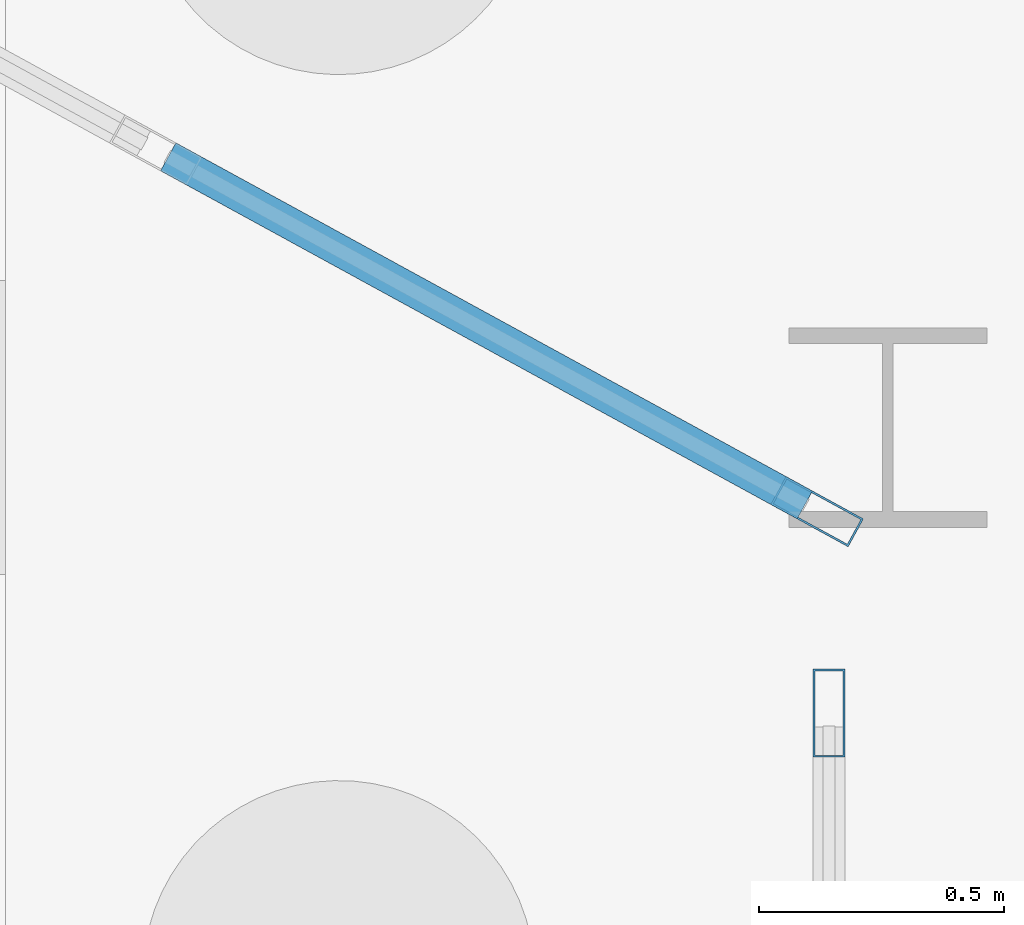
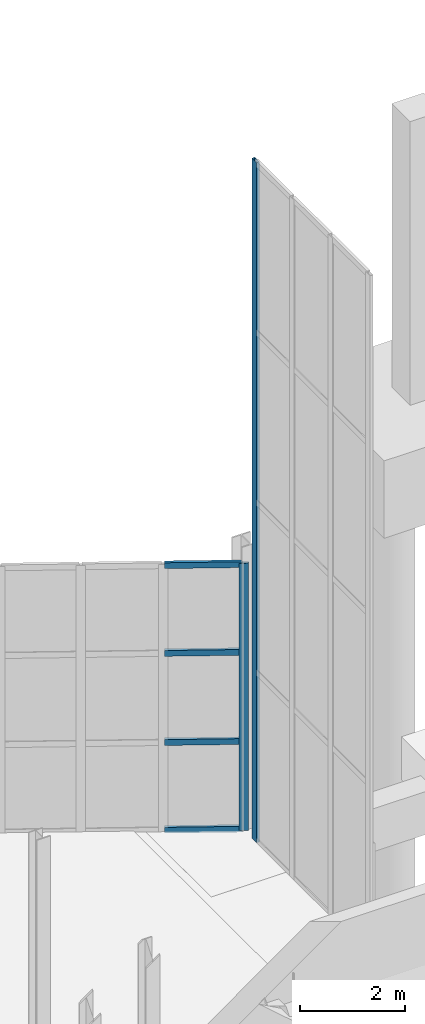
# One storey, part 63 of 115: 6 members, 2 elements without a shape of their own.
"""IFC4 building model written with IfcOpenShell, lengths in metres."""

import ifcopenshell
import ifcopenshell.guid

model = None  # the IFC model being written
_history = None  # IfcOwnerHistory: only IFC2X3 demands one
_inside = {}  # id of a spatial element -> (the spatial element, [elements in it])
_under = {}  # id of a project, library or spatial element -> (it, [spatial elements below it])
_declared = {}  # id of a project -> (the project, [libraries it declares])
_typed = {}  # id of a type object -> (the type object, [elements of that type])
_made_of = {}  # id of a material, layer set ... -> (it, [elements and type objects made of it])


def new_model(schema):
    """Start an empty IFC model of exactly this schema.

    Asked for "IFC4X3", IfcOpenShell would pick the latest addendum, in which some entities
    have other attributes; the version numbers below select the first issue.
    IFC2X3 requires an IfcOwnerHistory on every rooted entity: one is made here for all.
    """
    global model, _history
    if schema == "IFC4X3":
        model = ifcopenshell.file(schema_version=(4, 3, 0, 0))
    else:
        model = ifcopenshell.file(schema=schema)
    _inside.clear()
    _under.clear()
    _declared.clear()
    _typed.clear()
    _made_of.clear()
    _history = None
    if model.schema == "IFC2X3":
        org = make("IfcOrganization", Name="unknown")
        user = make(
            "IfcPersonAndOrganization",
            ThePerson=make("IfcPerson", FamilyName="unknown"),
            TheOrganization=org,
        )
        app = make(
            "IfcApplication",
            ApplicationDeveloper=org,
            Version="unknown",
            ApplicationFullName="unknown",
            ApplicationIdentifier="unknown",
        )
        _history = make(
            "IfcOwnerHistory",
            OwningUser=user,
            OwningApplication=app,
            ChangeAction="ADDED",
            CreationDate=0,
        )
    return model


def make(cls, **values):
    """One entity of the class cls with the attributes given. An attribute that is None is left unset."""
    return model.create_entity(
        cls, **{name: value for name, value in values.items() if value is not None}
    )


def rooted(cls, **values):
    """An entity with a GlobalId (a new one), such as an element, a storey or a relation."""
    return make(cls, GlobalId=ifcopenshell.guid.new(), OwnerHistory=_history, **values)


def si_unit(unit_type, name, prefix=None):
    """IfcSIUnit, for example si_unit("LENGTHUNIT", "METRE", prefix="MILLI")."""
    return make("IfcSIUnit", UnitType=unit_type, Prefix=prefix, Name=name)


def assignment(units):
    """IfcUnitAssignment: the units of a project."""
    return None if units is None else make("IfcUnitAssignment", Units=units)


def point(xyz):
    """IfcCartesianPoint."""
    return None if xyz is None else make("IfcCartesianPoint", Coordinates=xyz)


def direction(xyz):
    """IfcDirection."""
    return None if xyz is None else make("IfcDirection", DirectionRatios=xyz)


def frame(location, z_axis=None, x_axis=None):
    """IfcAxis2Placement3D, a coordinate frame: its origin and axes. An axis left out is left unset."""
    return make(
        "IfcAxis2Placement3D",
        Location=point(location),
        Axis=direction(z_axis),
        RefDirection=direction(x_axis),
    )


def frame_2d(location, x_axis=None):
    """IfcAxis2Placement2D, a coordinate frame in the plane: its origin and x axis."""
    return make(
        "IfcAxis2Placement2D", Location=point(location), RefDirection=direction(x_axis)
    )


def origin():
    """The frame at (0, 0, 0) with its axes left unset."""
    return frame((0.0, 0.0, 0.0))


def origin_2d():
    """The frame at (0, 0) in the plane with its x axis left unset."""
    return frame_2d((0.0, 0.0))


def place(relative_to, where):
    """IfcLocalPlacement: puts the frame where relative to a parent placement (None: the world)."""
    return make(
        "IfcLocalPlacement", PlacementRelTo=relative_to, RelativePlacement=where
    )


def context(
    kind, dimensions, precision=None, world=None, true_north=None, identifier=None
):
    """IfcGeometricRepresentationContext, for example the 3D "Model" context."""
    return make(
        "IfcGeometricRepresentationContext",
        ContextIdentifier=identifier,
        ContextType=kind,
        CoordinateSpaceDimension=dimensions,
        Precision=precision,
        WorldCoordinateSystem=world,
        TrueNorth=true_north,
    )


def subcontext(parent, identifier, kind, view, scale=None):
    """IfcGeometricRepresentationSubContext, for example "Body" below "Model"."""
    return make(
        "IfcGeometricRepresentationSubContext",
        ContextIdentifier=identifier,
        ContextType=kind,
        ParentContext=parent,
        TargetScale=scale,
        TargetView=view,
    )


def project(units=None, contexts=None):
    """IfcProject with its units and contexts."""
    return rooted(
        "IfcProject",
        Name="project",
        RepresentationContexts=contexts,
        UnitsInContext=assignment(units),
    )


def spatial(cls, under=None, at=None, **own):
    """A site, building, storey or space (cls), placed at a placement, below another one or the project."""
    s = rooted(cls, ObjectPlacement=at, **own)
    if under is not None:
        _under.setdefault(under.id(), (under, []))[1].append(s)
    return s


def profile(cls, at=None, kind="AREA", **sizes):
    """A parametric profile (cls). Its sizes go by their IFC names, for example OverallWidth=200.0."""
    return make(cls, ProfileType=kind, Position=at, **sizes)


def hollow_rectangle(**sizes):
    """IfcRectangleHollowProfileDef."""
    return profile("IfcRectangleHollowProfileDef", **sizes)


def extrude(swept, where, along, depth):
    """IfcExtrudedAreaSolid: the profile swept, set in the frame where, extruded along a direction by depth."""
    return make(
        "IfcExtrudedAreaSolid",
        SweptArea=swept,
        Position=where,
        ExtrudedDirection=direction(along),
        Depth=depth,
    )


def shape(context_of_items, identifier, shape_type, items):
    """IfcShapeRepresentation: the items that make up one representation, for example the "Body"."""
    return make(
        "IfcShapeRepresentation",
        ContextOfItems=context_of_items,
        RepresentationIdentifier=identifier,
        RepresentationType=shape_type,
        Items=items,
    )


def material(Name=None, Category=None):
    """IfcMaterial."""
    return make("IfcMaterial", Name=Name, Category=Category)


def layer(
    of_material, thickness, ventilated=None, Name=None, Category=None, Priority=None
):
    """IfcMaterialLayer: one layer of a wall or slab, of a material (None: an air gap)."""
    return make(
        "IfcMaterialLayer",
        Material=of_material,
        LayerThickness=thickness,
        IsVentilated=ventilated,
        Name=Name,
        Category=Category,
        Priority=Priority,
    )


def layer_set(layers, Name=None):
    """IfcMaterialLayerSet."""
    return make("IfcMaterialLayerSet", MaterialLayers=layers, LayerSetName=Name)


def material_profile(
    of_material, cross_section, Name=None, Category=None, Priority=None
):
    """IfcMaterialProfile: a cross section and its material."""
    return make(
        "IfcMaterialProfile",
        Name=Name,
        Material=of_material,
        Profile=cross_section,
        Priority=Priority,
        Category=Category,
    )


def profile_set(profiles, Name=None, composite=None):
    """IfcMaterialProfileSet."""
    return make(
        "IfcMaterialProfileSet",
        Name=Name,
        MaterialProfiles=profiles,
        CompositeProfile=composite,
    )


def made_of(thing, what):
    """Note that an element or type object is made of a material, layer set ...; save() writes the relation."""
    if what is not None:
        _made_of.setdefault(what.id(), (what, []))[1].append(thing)
    return thing


def type_object(cls, material=None, **own):
    """A type object (cls), such as IfcWallType, which elements share."""
    return made_of(rooted(cls, **own), material)


def element(
    cls,
    number,
    at=None,
    inside=None,
    cuts=None,
    type_object=None,
    material=None,
    context=None,
    identifier="Body",
    shape_type=None,
    held_by="IfcProductDefinitionShape",
    body=None,
    shapes=None,
    **own,
):
    """One element of the class cls, such as IfcWall. Its Tag is "e" and its number.

    at: its placement. inside: the storey or other place that contains it. cuts: it is an
    opening in that element (IfcRelVoidsElement). A single representation is given by context,
    identifier, shape_type and body (its items); several are given by shapes. held_by: the class
    of the entity that holds the representations. save() writes the other relations.
    """
    e = rooted(cls, Tag="e%d" % number, ObjectPlacement=at, **own)
    if body is not None:
        shapes = [shape(context, identifier, shape_type, body)]
    if shapes is not None:
        e.Representation = make(held_by, Representations=shapes)
    if inside is not None:
        _inside.setdefault(inside.id(), (inside, []))[1].append(e)
    if cuts is not None:
        rooted(
            "IfcRelVoidsElement", RelatingBuildingElement=cuts, RelatedOpeningElement=e
        )
    if type_object is not None:
        _typed.setdefault(type_object.id(), (type_object, []))[1].append(e)
    return made_of(e, material)


def aggregate(whole, parts):
    """IfcRelAggregates: a whole, such as a stair, and the parts it consists of."""
    return rooted("IfcRelAggregates", RelatingObject=whole, RelatedObjects=parts)


def save(model, path):
    """Write the relations noted so far, then the file.

    IfcRelAggregates (storeys below a building ...), IfcRelContainedInSpatialStructure (elements
    in a storey), IfcRelDefinesByType, IfcRelAssociatesMaterial and IfcRelDeclares: one each for
    every whole, place, type object, material and project.
    """
    for whole, parts in _under.values():
        aggregate(whole, parts)
    for where, things in _inside.values():
        rooted(
            "IfcRelContainedInSpatialStructure",
            RelatedElements=things,
            RelatingStructure=where,
        )
    for kind, things in _typed.values():
        rooted("IfcRelDefinesByType", RelatedObjects=things, RelatingType=kind)
    for what, things in _made_of.values():
        rooted("IfcRelAssociatesMaterial", RelatedObjects=things, RelatingMaterial=what)
    for by, libraries in _declared.values():
        rooted("IfcRelDeclares", RelatingContext=by, RelatedDefinitions=libraries)
    model.write(path)


model = new_model("IFC4")

# Units and contexts
model_context = context("Model", 3, precision=1e-05, world=origin(), true_north=direction((0.0, 1.0)))
body_context = subcontext(model_context, "Body", "Model", "MODEL_VIEW")
ifc_project = project(units=[si_unit("LENGTHUNIT", "METRE"), si_unit("AREAUNIT", "SQUARE_METRE"), si_unit("VOLUMEUNIT", "CUBIC_METRE"), si_unit("PLANEANGLEUNIT", "RADIAN"), si_unit("MASSUNIT", "GRAM", prefix="KILO")], contexts=[model_context])

# Site, building, storey
site_placement = place(None, origin())
site = spatial("IfcSite", under=ifc_project, at=site_placement, CompositionType="ELEMENT")
building_placement = place(site_placement, origin())
building = spatial("IfcBuilding", under=site, at=building_placement, Name="Tamarisk Ironworks Central Station", CompositionType="ELEMENT")
storey_placement = place(building_placement, origin())
storey = spatial("IfcBuildingStorey", under=building, at=storey_placement, Name="L00", CompositionType="ELEMENT", Elevation=0.0)

# Curtain wall, member
ifc_material = material(Name="Anodized aluminium alloy 6063-T6", Category="aluminium")
ifc_layer_1 = layer(ifc_material, 0.179931640625)
ifc_layer_set_1 = layer_set([ifc_layer_1], Name="Anodized aluminium alloy 6063-T6")
curtain_wall_type_1 = type_object("IfcCurtainWallType", Name="CW-01", PredefinedType="USERDEFINED", material=ifc_layer_set_1)
curtain_wall_1_placement = place(storey_placement, origin())
curtain_wall_1 = element("IfcCurtainWall", 1, at=curtain_wall_1_placement, inside=storey, type_object=curtain_wall_type_1, Name="NN rounded entrance hall L00 curtain wall bay 12", ObjectType="GLAZED CURTAIN WALL", PredefinedType="USERDEFINED")
ifc_material_profile_1 = material_profile(ifc_material, hollow_rectangle(XDim=0.06494140625, YDim=0.179931640625, WallThickness=0.00390625, at=origin_2d()), Name="ALUM 180x65")
ifc_profile_set_1 = profile_set([ifc_material_profile_1], Name="Anodized aluminium alloy 6063-T6")
member_type_1 = type_object("IfcMemberType", Name="CWM-02", PredefinedType="MULLION", material=ifc_profile_set_1)
member_1_placement = place(storey_placement, frame((107.855712890625, 111.428466796875, 0.0), z_axis=(0.0, 0.0, 1.0), x_axis=(0.47980544644, 0.877374910495, 0.0)))
member_1 = element("IfcMember", 2, at=member_1_placement, type_object=member_type_1, Name="CW01 mullion 4", PredefinedType="MULLION", context=body_context, shape_type="SweptSolid", body=[
    extrude(hollow_rectangle(XDim=0.06494140625, YDim=0.179931640625, WallThickness=0.00390625, at=origin_2d()), origin(), (0.0, 0.0, 1.0), 6.219970703125),
])

ifc_layer_2 = layer(ifc_material, 0.179931640625)
ifc_layer_set_2 = layer_set([ifc_layer_2], Name="Anodized aluminium alloy 6063-T6")
curtain_wall_type_2 = type_object("IfcCurtainWallType", Name="CW-04", PredefinedType="USERDEFINED", material=ifc_layer_set_2)
curtain_wall_2_placement = place(storey_placement, origin())
curtain_wall_2 = element("IfcCurtainWall", 3, at=curtain_wall_2_placement, inside=storey, type_object=curtain_wall_type_2, Name="Concourse E track-overlook curtain wall 09", ObjectType="GLAZED CURTAIN WALL", PredefinedType="USERDEFINED")
member_2_placement = place(storey_placement, frame((107.8798828125, 111.017578125, 0.0), z_axis=(0.0, 0.0, 1.0), x_axis=(-1.0, 0.0, 0.0)))
member_2 = element("IfcMember", 4, at=member_2_placement, type_object=member_type_1, Name="CW04 mullion 4", PredefinedType="MULLION", context=body_context, shape_type="SweptSolid", body=[
    extrude(hollow_rectangle(XDim=0.06494140625, YDim=0.179931640625, WallThickness=0.00390625, at=origin_2d()), origin(), (0.0, 0.0, 1.0), 15.820068359375),
])
aggregate(curtain_wall_2, [member_2])

# Member
ifc_material_profile_2 = material_profile(ifc_material, hollow_rectangle(XDim=0.06494140625, YDim=0.135009765625, WallThickness=0.00341796875, at=origin_2d()), Name="ALUM 135x65")
ifc_profile_set_2 = profile_set([ifc_material_profile_2], Name="Anodized aluminium alloy 6063-T6")
member_type_2 = type_object("IfcMemberType", Name="CWT-02", PredefinedType="USERDEFINED", material=ifc_profile_set_2)
member_3_placement = place(storey_placement, frame((106.531982421875, 112.15234375, 0.032470703125), z_axis=(0.877397174043, -0.479764732949, 0.0), x_axis=(0.479764732949, 0.877397174043, 0.0)))
member_3 = element("IfcMember", 5, at=member_3_placement, type_object=member_type_2, Name="CW01 transom 3.1", ObjectType="TRANSOM", PredefinedType="USERDEFINED", context=body_context, shape_type="SweptSolid", body=[
    extrude(hollow_rectangle(XDim=0.06494140625, YDim=0.135009765625, WallThickness=0.00341796875, at=origin_2d()), origin(), (0.0, 0.0, 1.0), 1.480224609375),
])

member_4_placement = place(storey_placement, frame((106.531982421875, 112.15234375, 2.0732421875), z_axis=(0.877397174043, -0.479764732949, 0.0), x_axis=(0.479764732949, 0.877397174043, 0.0)))
member_4 = element("IfcMember", 6, at=member_4_placement, type_object=member_type_2, Name="CW01 transom 3.2", ObjectType="TRANSOM", PredefinedType="USERDEFINED", context=body_context, shape_type="SweptSolid", body=[
    extrude(hollow_rectangle(XDim=0.06494140625, YDim=0.135009765625, WallThickness=0.00341796875, at=origin_2d()), origin(), (0.0, 0.0, 1.0), 1.480224609375),
])

member_5_placement = place(storey_placement, frame((106.531982421875, 112.15234375, 4.146728515625), z_axis=(0.877397174043, -0.479764732949, 0.0), x_axis=(0.479764732949, 0.877397174043, 0.0)))
member_5 = element("IfcMember", 7, at=member_5_placement, type_object=member_type_2, Name="CW01 transom 3.3", ObjectType="TRANSOM", PredefinedType="USERDEFINED", context=body_context, shape_type="SweptSolid", body=[
    extrude(hollow_rectangle(XDim=0.06494140625, YDim=0.135009765625, WallThickness=0.00341796875, at=origin_2d()), origin(), (0.0, 0.0, 1.0), 1.480224609375),
])

member_6_placement = place(storey_placement, frame((106.531982421875, 112.15234375, 6.1875), z_axis=(0.877397174043, -0.479764732949, 0.0), x_axis=(0.479764732949, 0.877397174043, 0.0)))
member_6 = element("IfcMember", 8, at=member_6_placement, type_object=member_type_2, Name="CW01 transom 3.4", ObjectType="TRANSOM", PredefinedType="USERDEFINED", context=body_context, shape_type="SweptSolid", body=[
    extrude(hollow_rectangle(XDim=0.06494140625, YDim=0.135009765625, WallThickness=0.00341796875, at=origin_2d()), origin(), (0.0, 0.0, 1.0), 1.480224609375),
])

aggregate(curtain_wall_1, [member_1, member_3, member_4, member_5, member_6])

save(model, "model.ifc")
